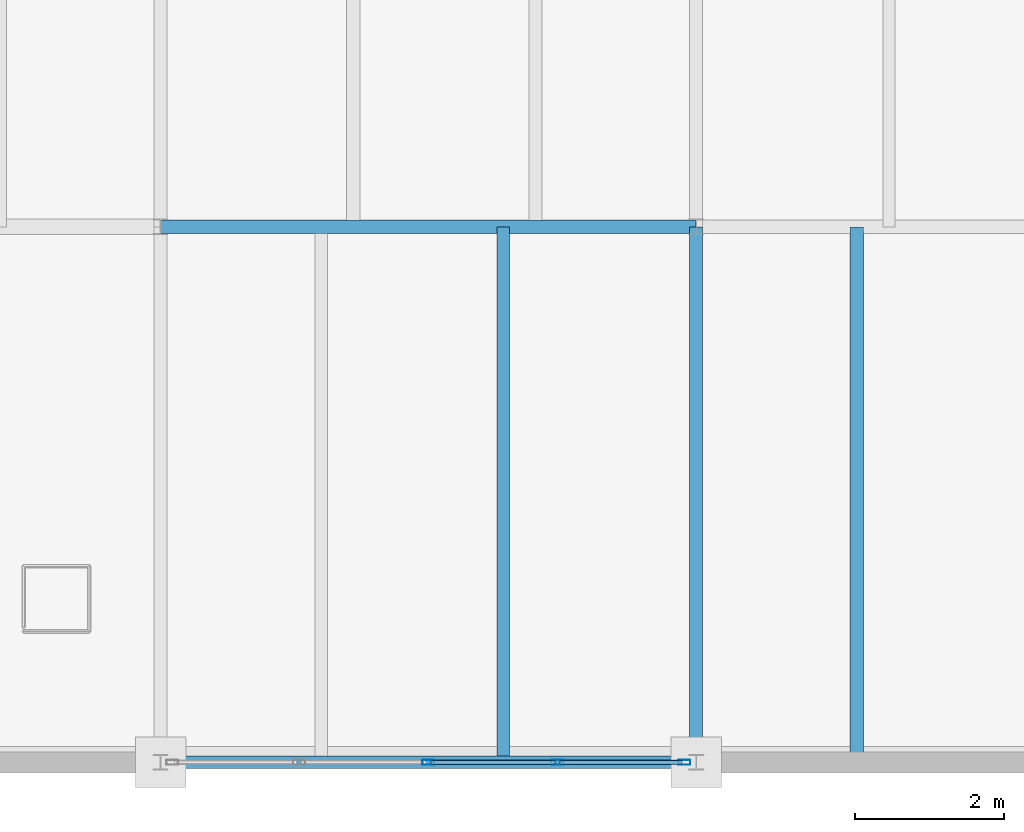
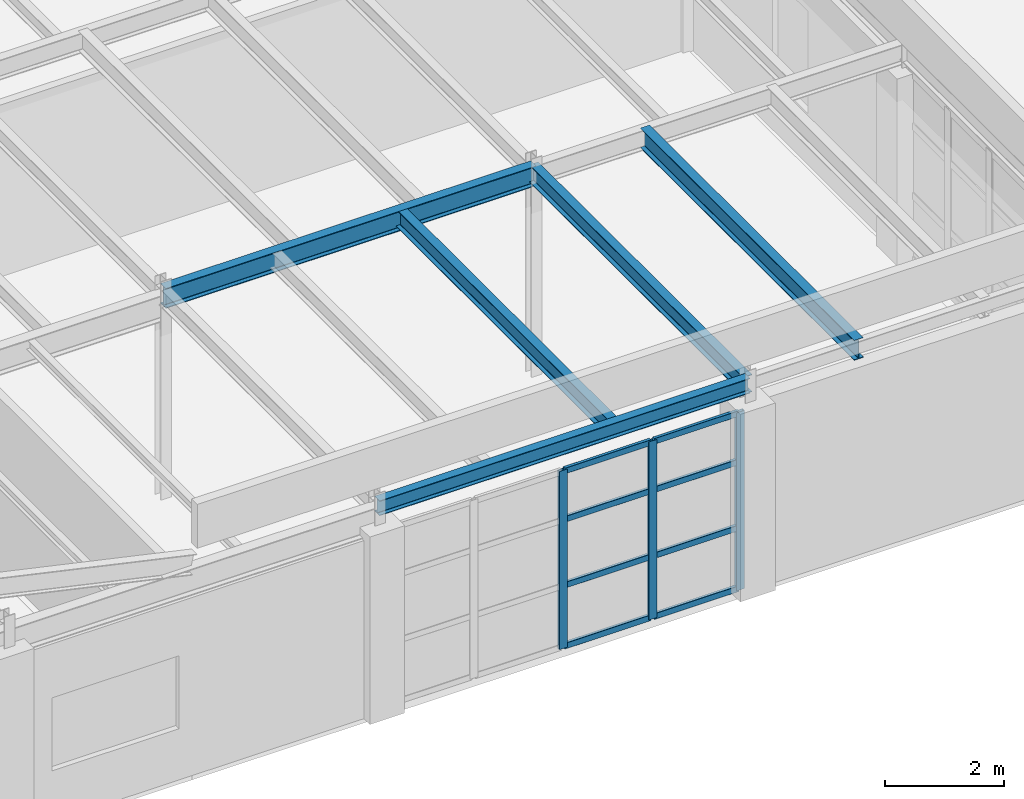
# One storey, part 13 of 43: 11 members, 5 beams, 1 element without a shape of its own.
"""IFC4 building model written with IfcOpenShell, lengths in metres."""

from ifc_helpers import new_model, si_unit, direction, frame, origin, origin_2d, place, context, subcontext, project, spatial, hollow_rectangle, i_section, extrude, material, layer, layer_set, material_profile, profile_set, type_object, element, aggregate, save


model = new_model("IFC4")

# Units and contexts
model_context = context("Model", 3, precision=1e-05, world=origin(), true_north=direction((0.0, 1.0)))
body_context = subcontext(model_context, "Body", "Model", "MODEL_VIEW")
ifc_project = project(units=[si_unit("LENGTHUNIT", "METRE"), si_unit("AREAUNIT", "SQUARE_METRE"), si_unit("VOLUMEUNIT", "CUBIC_METRE"), si_unit("PLANEANGLEUNIT", "RADIAN"), si_unit("MASSUNIT", "GRAM", prefix="KILO")], contexts=[model_context])

# Site, building, storey
site_placement = place(None, origin())
site = spatial("IfcSite", under=ifc_project, at=site_placement, CompositionType="ELEMENT")
building_placement = place(site_placement, origin())
building = spatial("IfcBuilding", under=site, at=building_placement, Name="Kemerveld Promenade Tramway Depot", CompositionType="ELEMENT")
storey_placement = place(building_placement, frame((0.0, 0.0, 18.89990234375)))
storey = spatial("IfcBuildingStorey", under=building, at=storey_placement, Name="L04", CompositionType="ELEMENT", Elevation=18.89990234375)

# Beams
ifc_material_1 = material(Name="Steel S355", Category="steel")
ifc_material_profile_1 = material_profile(ifc_material_1, i_section(OverallWidth=0.1787109375, OverallDepth=0.409423828125, WebThickness=0.0087890625, FlangeThickness=0.014404296875, FilletRadius=0.01025390625, at=origin_2d()), Name="406x178x67 UB")
ifc_profile_set_1 = profile_set([ifc_material_profile_1], Name="Steel S355")
beam_type_1 = type_object("IfcBeamType", Name="BM-G07", PredefinedType="BEAM", material=ifc_profile_set_1)
beam_1_placement = place(storey_placement, frame((21.60009765625, 7.199951171875, 4.115478515625), z_axis=(1.0, 0.0, 0.0), x_axis=(0.0, 1.0, 0.0)))
element("IfcBeam", 1, at=beam_1_placement, inside=storey, type_object=beam_type_1, Name="BMX-L04-04-05-B", PredefinedType="BEAM", context=body_context, shape_type="SweptSolid", body=[
    extrude(i_section(OverallWidth=0.1787109375, OverallDepth=0.409423828125, WebThickness=0.0087890625, FlangeThickness=0.014404296875, FilletRadius=0.01025390625, at=origin_2d()), origin(), (0.0, 0.0, 1.0), 7.199951171875),
])
ifc_material_profile_2 = material_profile(ifc_material_1, i_section(OverallWidth=0.172119140625, OverallDepth=0.35791015625, WebThickness=0.008056640625, FlangeThickness=0.012939453125, FilletRadius=0.01025390625, at=origin_2d()), Name="356x171x57 UB")
ifc_profile_set_2 = profile_set([ifc_material_profile_2], Name="Steel S355")
beam_type_2 = type_object("IfcBeamType", Name="BM-G08", PredefinedType="BEAM", material=ifc_profile_set_2)
beam_2_placement = place(storey_placement, frame((28.800048828125, 0.0, 4.14111328125), z_axis=(0.0, 1.0, 0.0), x_axis=(-1.0, 0.0, 0.0)))
element("IfcBeam", 2, at=beam_2_placement, inside=storey, type_object=beam_type_2, Name="BMY-L04-05-A-B", PredefinedType="BEAM", context=body_context, shape_type="SweptSolid", body=[
    extrude(i_section(OverallWidth=0.172119140625, OverallDepth=0.35791015625, WebThickness=0.008056640625, FlangeThickness=0.012939453125, FilletRadius=0.01025390625, at=origin_2d()), origin(), (0.0, 0.0, 1.0), 7.199951171875),
])
ifc_material_profile_3 = material_profile(ifc_material_1, i_section(OverallWidth=0.165771484375, OverallDepth=0.306640625, WebThickness=0.006591796875, FlangeThickness=0.01171875, FilletRadius=0.0087890625, at=origin_2d()), Name="305x165x46 UB")
ifc_profile_set_3 = profile_set([ifc_material_profile_3], Name="Steel S355")
beam_type_3 = type_object("IfcBeamType", Name="BM-G16", PredefinedType="BEAM", material=ifc_profile_set_3)
beam_3_placement = place(storey_placement, frame((21.60009765625, 0.0, 4.166748046875), z_axis=(1.0, 0.0, 0.0), x_axis=(0.0, 1.0, 0.0)))
element("IfcBeam", 3, at=beam_3_placement, inside=storey, type_object=beam_type_3, Name="BMX-L04-04-05-A", PredefinedType="BEAM", context=body_context, shape_type="SweptSolid", body=[
    extrude(i_section(OverallWidth=0.165771484375, OverallDepth=0.306640625, WebThickness=0.006591796875, FlangeThickness=0.01171875, FilletRadius=0.0087890625, at=origin_2d()), origin(), (0.0, 0.0, 1.0), 7.199951171875),
])
ifc_material_profile_4 = material_profile(ifc_material_1, i_section(OverallWidth=0.172119140625, OverallDepth=0.35791015625, WebThickness=0.008056640625, FlangeThickness=0.012939453125, FilletRadius=0.01025390625, at=origin_2d()), Name="356x171x57 UB")
ifc_profile_set_4 = profile_set([ifc_material_profile_4], Name="Steel S355")
beam_type_4 = type_object("IfcBeamType", Name="BM-J04", PredefinedType="JOIST", material=ifc_profile_set_4)
beam_4_placement = place(storey_placement, frame((26.2080078125, 0.0, 4.14111328125), z_axis=(0.0, 1.0, 0.0), x_axis=(-1.0, 0.0, 0.0)))
element("IfcBeam", 4, at=beam_4_placement, inside=storey, type_object=beam_type_4, Name="JST-L04-04-A-2", PredefinedType="JOIST", context=body_context, shape_type="SweptSolid", body=[
    extrude(i_section(OverallWidth=0.172119140625, OverallDepth=0.35791015625, WebThickness=0.008056640625, FlangeThickness=0.012939453125, FilletRadius=0.01025390625, at=origin_2d()), origin(), (0.0, 0.0, 1.0), 7.199951171875),
])
ifc_material_profile_5 = material_profile(ifc_material_1, i_section(OverallWidth=0.1787109375, OverallDepth=0.409423828125, WebThickness=0.0087890625, FlangeThickness=0.014404296875, FilletRadius=0.01025390625, at=origin_2d()), Name="406x178x67 UB")
ifc_profile_set_5 = profile_set([ifc_material_profile_5], Name="Steel S355")
beam_type_5 = type_object("IfcBeamType", Name="BM-J05", PredefinedType="JOIST", material=ifc_profile_set_5)
beam_5_placement = place(storey_placement, frame((30.9599609375, 0.0, 4.115478515625), z_axis=(0.0, 1.0, 0.0), x_axis=(-1.0, 0.0, 0.0)))
element("IfcBeam", 5, at=beam_5_placement, inside=storey, type_object=beam_type_5, Name="JST-L04-05-A-1", PredefinedType="JOIST", context=body_context, shape_type="SweptSolid", body=[
    extrude(i_section(OverallWidth=0.1787109375, OverallDepth=0.409423828125, WebThickness=0.0087890625, FlangeThickness=0.014404296875, FilletRadius=0.01025390625, at=origin_2d()), origin(), (0.0, 0.0, 1.0), 7.199951171875),
])

# Curtain wall, members
ifc_material_2 = material(Name="Bronze anodised aluminium and solar glass", Category="aluminium")
ifc_layer = layer(ifc_material_2, 0.159912109375)
ifc_layer_set = layer_set([ifc_layer], Name="CW-SYS-05")
curtain_wall_type = type_object("IfcCurtainWallType", Name="CW-SYS-05", PredefinedType="USERDEFINED", material=ifc_layer_set)
curtain_wall_placement = place(storey_placement, origin())
curtain_wall = element("IfcCurtainWall", 6, at=curtain_wall_placement, inside=storey, type_object=curtain_wall_type, Name="CW-L04-V5S-02", ObjectType="GLAZED_CURTAIN_WALL", PredefinedType="USERDEFINED")
ifc_material_3 = material(Name="Bronze anodised aluminium", Category="aluminium")
ifc_material_profile_6 = material_profile(ifc_material_3, hollow_rectangle(XDim=0.06494140625, YDim=0.159912109375, WallThickness=0.00390625, InnerFilletRadius=0.001953125, OuterFilletRadius=0.00390625, at=origin_2d()), Name="CW-MUL-160x65")
ifc_profile_set_6 = profile_set([ifc_material_profile_6], Name="Bronze anodised aluminium")
member_type_1 = type_object("IfcMemberType", Name="CW-MUL-A", PredefinedType="MULLION", material=ifc_profile_set_6)
member_1_placement = place(storey_placement, frame((28.642578125, 0.0, 0.0), z_axis=(0.0, 0.0, 1.0), x_axis=(0.0, -1.0, 0.0)))
member_1 = element("IfcMember", 7, at=member_1_placement, type_object=member_type_1, Name="CW05 mullion 1", PredefinedType="MULLION", context=body_context, shape_type="SweptSolid", body=[
    extrude(hollow_rectangle(XDim=0.06494140625, YDim=0.159912109375, WallThickness=0.00390625, InnerFilletRadius=0.001953125, OuterFilletRadius=0.00390625, at=origin_2d()), origin(), (0.0, 0.0, 1.0), 3.658203125),
])
member_2_placement = place(storey_placement, frame((26.9375, 0.0, 0.0), z_axis=(0.0, 0.0, 1.0), x_axis=(0.0, -1.0, 0.0)))
member_2 = element("IfcMember", 8, at=member_2_placement, type_object=member_type_1, Name="CW05 mullion 2", PredefinedType="MULLION", context=body_context, shape_type="SweptSolid", body=[
    extrude(hollow_rectangle(XDim=0.06494140625, YDim=0.159912109375, WallThickness=0.00390625, InnerFilletRadius=0.001953125, OuterFilletRadius=0.00390625, at=origin_2d()), origin(), (0.0, 0.0, 1.0), 3.658203125),
])
member_3_placement = place(storey_placement, frame((25.199951171875, 0.0, 0.0), z_axis=(0.0, 0.0, 1.0), x_axis=(0.0, -1.0, 0.0)))
member_3 = element("IfcMember", 9, at=member_3_placement, type_object=member_type_1, Name="CW05 mullion 3", PredefinedType="MULLION", context=body_context, shape_type="SweptSolid", body=[
    extrude(hollow_rectangle(XDim=0.06494140625, YDim=0.159912109375, WallThickness=0.00390625, InnerFilletRadius=0.001953125, OuterFilletRadius=0.00390625, at=origin_2d()), origin(), (0.0, 0.0, 1.0), 3.658203125),
])
ifc_material_profile_7 = material_profile(ifc_material_3, hollow_rectangle(XDim=0.06005859375, YDim=0.1201171875, WallThickness=0.00390625, InnerFilletRadius=0.001953125, OuterFilletRadius=0.00390625, at=origin_2d()), Name="CW-TRN-120x60")
ifc_profile_set_7 = profile_set([ifc_material_profile_7], Name="Bronze anodised aluminium")
member_type_2 = type_object("IfcMemberType", Name="CW-TRN-A", PredefinedType="USERDEFINED", material=ifc_profile_set_7)
member_4_placement = place(storey_placement, frame((28.610107421875, 0.0, 0.030029296875), z_axis=(-1.0, 0.0, 0.0), x_axis=(0.0, -1.0, 0.0)))
member_4 = element("IfcMember", 10, at=member_4_placement, type_object=member_type_2, Name="CW05 transom 1.1", ObjectType="TRANSOM", PredefinedType="USERDEFINED", context=body_context, shape_type="SweptSolid", body=[
    extrude(hollow_rectangle(XDim=0.06005859375, YDim=0.1201171875, WallThickness=0.00390625, InnerFilletRadius=0.001953125, OuterFilletRadius=0.00390625, at=origin_2d()), origin(), (0.0, 0.0, 1.0), 1.639892578125),
])
member_5_placement = place(storey_placement, frame((28.610107421875, 0.0, 1.280029296875), z_axis=(-1.0, 0.0, 0.0), x_axis=(0.0, -1.0, 0.0)))
member_5 = element("IfcMember", 11, at=member_5_placement, type_object=member_type_2, Name="CW05 transom 1.2", ObjectType="TRANSOM", PredefinedType="USERDEFINED", context=body_context, shape_type="SweptSolid", body=[
    extrude(hollow_rectangle(XDim=0.06005859375, YDim=0.1201171875, WallThickness=0.00390625, InnerFilletRadius=0.001953125, OuterFilletRadius=0.00390625, at=origin_2d()), origin(), (0.0, 0.0, 1.0), 1.639892578125),
])
member_6_placement = place(storey_placement, frame((28.610107421875, 0.0, 2.634033203125), z_axis=(-1.0, 0.0, 0.0), x_axis=(0.0, -1.0, 0.0)))
member_6 = element("IfcMember", 12, at=member_6_placement, type_object=member_type_2, Name="CW05 transom 1.3", ObjectType="TRANSOM", PredefinedType="USERDEFINED", context=body_context, shape_type="SweptSolid", body=[
    extrude(hollow_rectangle(XDim=0.06005859375, YDim=0.1201171875, WallThickness=0.00390625, InnerFilletRadius=0.001953125, OuterFilletRadius=0.00390625, at=origin_2d()), origin(), (0.0, 0.0, 1.0), 1.639892578125),
])
member_7_placement = place(storey_placement, frame((28.610107421875, 0.0, 3.62841796875), z_axis=(-1.0, 0.0, 0.0), x_axis=(0.0, -1.0, 0.0)))
member_7 = element("IfcMember", 13, at=member_7_placement, type_object=member_type_2, Name="CW05 transom 1.4", ObjectType="TRANSOM", PredefinedType="USERDEFINED", context=body_context, shape_type="SweptSolid", body=[
    extrude(hollow_rectangle(XDim=0.06005859375, YDim=0.1201171875, WallThickness=0.00390625, InnerFilletRadius=0.001953125, OuterFilletRadius=0.00390625, at=origin_2d()), origin(), (0.0, 0.0, 1.0), 1.639892578125),
])
member_8_placement = place(storey_placement, frame((26.905029296875, 0.0, 0.030029296875), z_axis=(-1.0, 0.0, 0.0), x_axis=(0.0, -1.0, 0.0)))
member_8 = element("IfcMember", 14, at=member_8_placement, type_object=member_type_2, Name="CW05 transom 2.1", ObjectType="TRANSOM", PredefinedType="USERDEFINED", context=body_context, shape_type="SweptSolid", body=[
    extrude(hollow_rectangle(XDim=0.06005859375, YDim=0.1201171875, WallThickness=0.00390625, InnerFilletRadius=0.001953125, OuterFilletRadius=0.00390625, at=origin_2d()), origin(), (0.0, 0.0, 1.0), 1.672607421875),
])
member_9_placement = place(storey_placement, frame((26.905029296875, 0.0, 1.280029296875), z_axis=(-1.0, 0.0, 0.0), x_axis=(0.0, -1.0, 0.0)))
member_9 = element("IfcMember", 15, at=member_9_placement, type_object=member_type_2, Name="CW05 transom 2.2", ObjectType="TRANSOM", PredefinedType="USERDEFINED", context=body_context, shape_type="SweptSolid", body=[
    extrude(hollow_rectangle(XDim=0.06005859375, YDim=0.1201171875, WallThickness=0.00390625, InnerFilletRadius=0.001953125, OuterFilletRadius=0.00390625, at=origin_2d()), origin(), (0.0, 0.0, 1.0), 1.672607421875),
])
member_10_placement = place(storey_placement, frame((26.905029296875, 0.0, 2.634033203125), z_axis=(-1.0, 0.0, 0.0), x_axis=(0.0, -1.0, 0.0)))
member_10 = element("IfcMember", 16, at=member_10_placement, type_object=member_type_2, Name="CW05 transom 2.3", ObjectType="TRANSOM", PredefinedType="USERDEFINED", context=body_context, shape_type="SweptSolid", body=[
    extrude(hollow_rectangle(XDim=0.06005859375, YDim=0.1201171875, WallThickness=0.00390625, InnerFilletRadius=0.001953125, OuterFilletRadius=0.00390625, at=origin_2d()), origin(), (0.0, 0.0, 1.0), 1.672607421875),
])
member_11_placement = place(storey_placement, frame((26.905029296875, 0.0, 3.62841796875), z_axis=(-1.0, 0.0, 0.0), x_axis=(0.0, -1.0, 0.0)))
member_11 = element("IfcMember", 17, at=member_11_placement, type_object=member_type_2, Name="CW05 transom 2.4", ObjectType="TRANSOM", PredefinedType="USERDEFINED", context=body_context, shape_type="SweptSolid", body=[
    extrude(hollow_rectangle(XDim=0.06005859375, YDim=0.1201171875, WallThickness=0.00390625, InnerFilletRadius=0.001953125, OuterFilletRadius=0.00390625, at=origin_2d()), origin(), (0.0, 0.0, 1.0), 1.672607421875),
])
aggregate(curtain_wall, [member_1, member_2, member_3, member_4, member_5, member_6, member_7, member_8, member_9, member_10, member_11])

save(model, "model.ifc")
